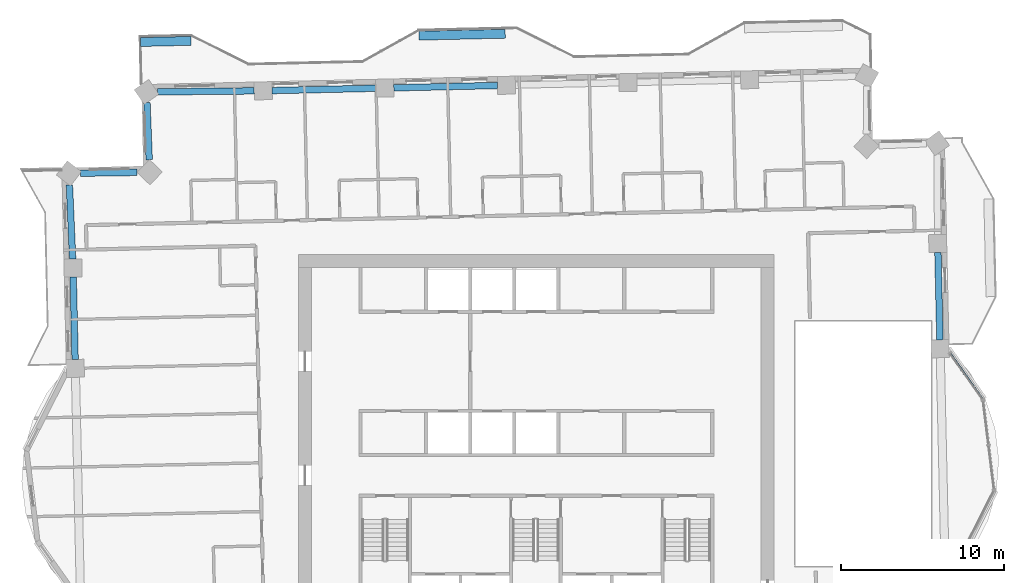
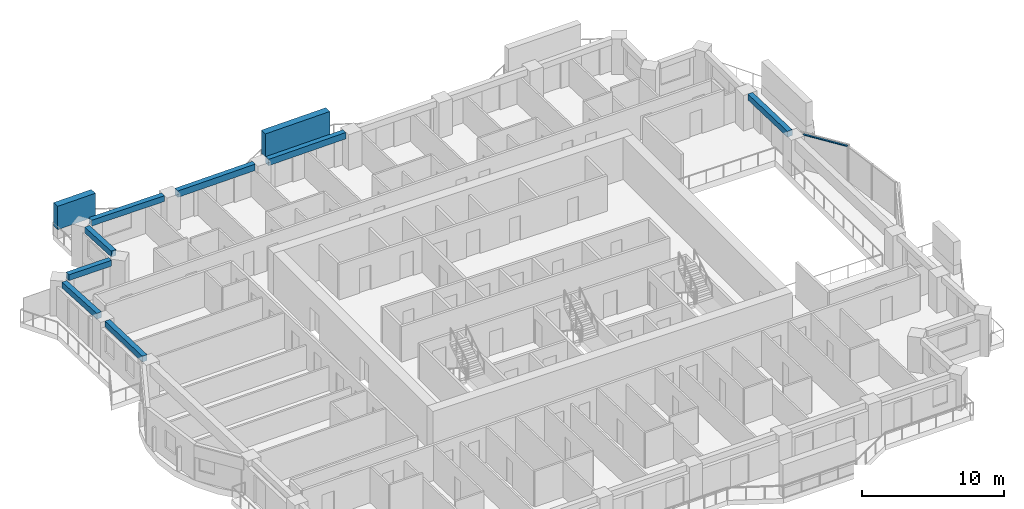
# One storey, part 3 of 16: 8 beams, 3 members, 1 element without a shape of its own.
"""IFC4 building model written with IfcOpenShell, lengths in metres."""

import ifcopenshell
import ifcopenshell.guid

model = None  # the IFC model being written
_history = None  # IfcOwnerHistory: only IFC2X3 demands one
_inside = {}  # id of a spatial element -> (the spatial element, [elements in it])
_under = {}  # id of a project, library or spatial element -> (it, [spatial elements below it])
_declared = {}  # id of a project -> (the project, [libraries it declares])
_typed = {}  # id of a type object -> (the type object, [elements of that type])
_made_of = {}  # id of a material, layer set ... -> (it, [elements and type objects made of it])


def new_model(schema):
    """Start an empty IFC model of exactly this schema.

    Asked for "IFC4X3", IfcOpenShell would pick the latest addendum, in which some entities
    have other attributes; the version numbers below select the first issue.
    IFC2X3 requires an IfcOwnerHistory on every rooted entity: one is made here for all.
    """
    global model, _history
    if schema == "IFC4X3":
        model = ifcopenshell.file(schema_version=(4, 3, 0, 0))
    else:
        model = ifcopenshell.file(schema=schema)
    _inside.clear()
    _under.clear()
    _declared.clear()
    _typed.clear()
    _made_of.clear()
    _history = None
    if model.schema == "IFC2X3":
        org = make("IfcOrganization", Name="unknown")
        user = make(
            "IfcPersonAndOrganization",
            ThePerson=make("IfcPerson", FamilyName="unknown"),
            TheOrganization=org,
        )
        app = make(
            "IfcApplication",
            ApplicationDeveloper=org,
            Version="unknown",
            ApplicationFullName="unknown",
            ApplicationIdentifier="unknown",
        )
        _history = make(
            "IfcOwnerHistory",
            OwningUser=user,
            OwningApplication=app,
            ChangeAction="ADDED",
            CreationDate=0,
        )
    return model


def make(cls, **values):
    """One entity of the class cls with the attributes given. An attribute that is None is left unset."""
    return model.create_entity(
        cls, **{name: value for name, value in values.items() if value is not None}
    )


def rooted(cls, **values):
    """An entity with a GlobalId (a new one), such as an element, a storey or a relation."""
    return make(cls, GlobalId=ifcopenshell.guid.new(), OwnerHistory=_history, **values)


def si_unit(unit_type, name, prefix=None):
    """IfcSIUnit, for example si_unit("LENGTHUNIT", "METRE", prefix="MILLI")."""
    return make("IfcSIUnit", UnitType=unit_type, Prefix=prefix, Name=name)


def assignment(units):
    """IfcUnitAssignment: the units of a project."""
    return None if units is None else make("IfcUnitAssignment", Units=units)


def point(xyz):
    """IfcCartesianPoint."""
    return None if xyz is None else make("IfcCartesianPoint", Coordinates=xyz)


def direction(xyz):
    """IfcDirection."""
    return None if xyz is None else make("IfcDirection", DirectionRatios=xyz)


def frame(location, z_axis=None, x_axis=None):
    """IfcAxis2Placement3D, a coordinate frame: its origin and axes. An axis left out is left unset."""
    return make(
        "IfcAxis2Placement3D",
        Location=point(location),
        Axis=direction(z_axis),
        RefDirection=direction(x_axis),
    )


def frame_2d(location, x_axis=None):
    """IfcAxis2Placement2D, a coordinate frame in the plane: its origin and x axis."""
    return make(
        "IfcAxis2Placement2D", Location=point(location), RefDirection=direction(x_axis)
    )


def origin():
    """The frame at (0, 0, 0) with its axes left unset."""
    return frame((0.0, 0.0, 0.0))


def origin_2d():
    """The frame at (0, 0) in the plane with its x axis left unset."""
    return frame_2d((0.0, 0.0))


def place(relative_to, where):
    """IfcLocalPlacement: puts the frame where relative to a parent placement (None: the world)."""
    return make(
        "IfcLocalPlacement", PlacementRelTo=relative_to, RelativePlacement=where
    )


def context(
    kind, dimensions, precision=None, world=None, true_north=None, identifier=None
):
    """IfcGeometricRepresentationContext, for example the 3D "Model" context."""
    return make(
        "IfcGeometricRepresentationContext",
        ContextIdentifier=identifier,
        ContextType=kind,
        CoordinateSpaceDimension=dimensions,
        Precision=precision,
        WorldCoordinateSystem=world,
        TrueNorth=true_north,
    )


def subcontext(parent, identifier, kind, view, scale=None):
    """IfcGeometricRepresentationSubContext, for example "Body" below "Model"."""
    return make(
        "IfcGeometricRepresentationSubContext",
        ContextIdentifier=identifier,
        ContextType=kind,
        ParentContext=parent,
        TargetScale=scale,
        TargetView=view,
    )


def project(units=None, contexts=None):
    """IfcProject with its units and contexts."""
    return rooted(
        "IfcProject",
        Name="project",
        RepresentationContexts=contexts,
        UnitsInContext=assignment(units),
    )


def spatial(cls, under=None, at=None, **own):
    """A site, building, storey or space (cls), placed at a placement, below another one or the project."""
    s = rooted(cls, ObjectPlacement=at, **own)
    if under is not None:
        _under.setdefault(under.id(), (under, []))[1].append(s)
    return s


def profile(cls, at=None, kind="AREA", **sizes):
    """A parametric profile (cls). Its sizes go by their IFC names, for example OverallWidth=200.0."""
    return make(cls, ProfileType=kind, Position=at, **sizes)


def rectangle(**sizes):
    """IfcRectangleProfileDef."""
    return profile("IfcRectangleProfileDef", **sizes)


def extrude(swept, where, along, depth):
    """IfcExtrudedAreaSolid: the profile swept, set in the frame where, extruded along a direction by depth."""
    return make(
        "IfcExtrudedAreaSolid",
        SweptArea=swept,
        Position=where,
        ExtrudedDirection=direction(along),
        Depth=depth,
    )


def shape(context_of_items, identifier, shape_type, items):
    """IfcShapeRepresentation: the items that make up one representation, for example the "Body"."""
    return make(
        "IfcShapeRepresentation",
        ContextOfItems=context_of_items,
        RepresentationIdentifier=identifier,
        RepresentationType=shape_type,
        Items=items,
    )


def material(Name=None, Category=None):
    """IfcMaterial."""
    return make("IfcMaterial", Name=Name, Category=Category)


def material_profile(
    of_material, cross_section, Name=None, Category=None, Priority=None
):
    """IfcMaterialProfile: a cross section and its material."""
    return make(
        "IfcMaterialProfile",
        Name=Name,
        Material=of_material,
        Profile=cross_section,
        Priority=Priority,
        Category=Category,
    )


def profile_set(profiles, Name=None, composite=None):
    """IfcMaterialProfileSet."""
    return make(
        "IfcMaterialProfileSet",
        Name=Name,
        MaterialProfiles=profiles,
        CompositeProfile=composite,
    )


def made_of(thing, what):
    """Note that an element or type object is made of a material, layer set ...; save() writes the relation."""
    if what is not None:
        _made_of.setdefault(what.id(), (what, []))[1].append(thing)
    return thing


def type_object(cls, material=None, **own):
    """A type object (cls), such as IfcWallType, which elements share."""
    return made_of(rooted(cls, **own), material)


def element(
    cls,
    number,
    at=None,
    inside=None,
    cuts=None,
    type_object=None,
    material=None,
    context=None,
    identifier="Body",
    shape_type=None,
    held_by="IfcProductDefinitionShape",
    body=None,
    shapes=None,
    **own,
):
    """One element of the class cls, such as IfcWall. Its Tag is "e" and its number.

    at: its placement. inside: the storey or other place that contains it. cuts: it is an
    opening in that element (IfcRelVoidsElement). A single representation is given by context,
    identifier, shape_type and body (its items); several are given by shapes. held_by: the class
    of the entity that holds the representations. save() writes the other relations.
    """
    e = rooted(cls, Tag="e%d" % number, ObjectPlacement=at, **own)
    if body is not None:
        shapes = [shape(context, identifier, shape_type, body)]
    if shapes is not None:
        e.Representation = make(held_by, Representations=shapes)
    if inside is not None:
        _inside.setdefault(inside.id(), (inside, []))[1].append(e)
    if cuts is not None:
        rooted(
            "IfcRelVoidsElement", RelatingBuildingElement=cuts, RelatedOpeningElement=e
        )
    if type_object is not None:
        _typed.setdefault(type_object.id(), (type_object, []))[1].append(e)
    return made_of(e, material)


def aggregate(whole, parts):
    """IfcRelAggregates: a whole, such as a stair, and the parts it consists of."""
    return rooted("IfcRelAggregates", RelatingObject=whole, RelatedObjects=parts)


def save(model, path):
    """Write the relations noted so far, then the file.

    IfcRelAggregates (storeys below a building ...), IfcRelContainedInSpatialStructure (elements
    in a storey), IfcRelDefinesByType, IfcRelAssociatesMaterial and IfcRelDeclares: one each for
    every whole, place, type object, material and project.
    """
    for whole, parts in _under.values():
        aggregate(whole, parts)
    for where, things in _inside.values():
        rooted(
            "IfcRelContainedInSpatialStructure",
            RelatedElements=things,
            RelatingStructure=where,
        )
    for kind, things in _typed.values():
        rooted("IfcRelDefinesByType", RelatedObjects=things, RelatingType=kind)
    for what, things in _made_of.values():
        rooted("IfcRelAssociatesMaterial", RelatedObjects=things, RelatingMaterial=what)
    for by, libraries in _declared.values():
        rooted("IfcRelDeclares", RelatingContext=by, RelatedDefinitions=libraries)
    model.write(path)


model = new_model("IFC4")

# Units and contexts
model_context = context("Model", 3, precision=1e-05, world=origin(), true_north=direction((0.0, 1.0)))
body_context = subcontext(model_context, "Body", "Model", "MODEL_VIEW")
ifc_project = project(units=[si_unit("LENGTHUNIT", "METRE"), si_unit("AREAUNIT", "SQUARE_METRE"), si_unit("VOLUMEUNIT", "CUBIC_METRE"), si_unit("PLANEANGLEUNIT", "RADIAN"), si_unit("MASSUNIT", "GRAM", prefix="KILO")], contexts=[model_context])

# Site, building, storey
site_placement = place(None, origin())
site = spatial("IfcSite", under=ifc_project, at=site_placement, CompositionType="ELEMENT")
building_placement = place(site_placement, origin())
building = spatial("IfcBuilding", under=site, at=building_placement, Name="Mangrove Gate Tower", CompositionType="ELEMENT")
storey_placement = place(building_placement, frame((0.0, 0.0, 231.10009765625)))
storey = spatial("IfcBuildingStorey", under=building, at=storey_placement, Name="L58", CompositionType="ELEMENT", Elevation=231.10009765625)

# Curtain wall, member
ifc_material_1 = material(Name="Aluminium and glass curtain wall", Category="aluminium")
curtain_wall_type = type_object("IfcCurtainWallType", Name="Atrium garden-court glazing wall", PredefinedType="NOTDEFINED", material=ifc_material_1)
curtain_wall_placement = place(storey_placement, origin())
curtain_wall = element("IfcCurtainWall", 1, at=curtain_wall_placement, inside=storey, type_object=curtain_wall_type, Name="Atrium garden-court glazing E1f3", PredefinedType="NOTDEFINED")
ifc_material_2 = material(Name="Aluminium alloy 6063-T6", Category="aluminium")
ifc_material_profile_1 = material_profile(ifc_material_2, rectangle(XDim=0.070068359375, YDim=0.14990234375, at=origin_2d()))
ifc_profile_set_1 = profile_set([ifc_material_profile_1], Name="Aluminium alloy 6063-T6")
member_type_1 = type_object("IfcMemberType", Name="Atrium garden-court glazing transom 70x150", PredefinedType="USERDEFINED", material=ifc_profile_set_1)
member_1_placement = place(storey_placement, frame((27.379150390625, 2.739013671875, 3.014892578125), z_axis=(-0.578122045982, 0.815950304829, 0.0), x_axis=(0.0, 0.0, 1.0)))
member_1 = element("IfcMember", 2, at=member_1_placement, type_object=member_type_1, Name="CWA transom 1.2", ObjectType="TRANSOM", PredefinedType="USERDEFINED", context=body_context, shape_type="SweptSolid", body=[
    extrude(rectangle(XDim=0.070068359375, YDim=0.14990234375, at=origin_2d()), origin(), (0.0, 0.0, 1.0), 3.4287109375),
])
aggregate(curtain_wall, [member_1])

# Members
ifc_material_3 = material(Name="Planting on aluminium trellis", Category="aluminium")
ifc_material_profile_2 = material_profile(ifc_material_3, rectangle(XDim=0.550048828125, YDim=2.0, at=origin_2d()))
ifc_profile_set_2 = profile_set([ifc_material_profile_2], Name="Planting on aluminium trellis")
member_type_2 = type_object("IfcMemberType", Name="Balcony greenery screen 550x2000", PredefinedType="USERDEFINED", material=ifc_profile_set_2)
member_2_placement = place(storey_placement, frame((-24.306884765625, 24.656982421875, 1.7998046875), z_axis=(0.999745114593, 0.022576665976, 0.0), x_axis=(-0.022576665976, 0.999745114593, 0.0)))
element("IfcMember", 3, at=member_2_placement, inside=storey, type_object=member_type_2, Name="GREEN SCREEN L58 N1.1", ObjectType="PLANTING", PredefinedType="USERDEFINED", context=body_context, shape_type="SweptSolid", body=[
    extrude(rectangle(XDim=0.550048828125, YDim=2.0, at=origin_2d()), origin(), (0.0, 0.0, 1.0), 3.103515625),
])
member_3_placement = place(storey_placement, frame((-7.20703125, 25.044921875, 1.7998046875), z_axis=(0.999743094541, 0.022665941778, 0.0), x_axis=(-0.022665941778, 0.999743094541, 0.0)))
element("IfcMember", 4, at=member_3_placement, inside=storey, type_object=member_type_2, Name="GREEN SCREEN L58 N1.2", ObjectType="PLANTING", PredefinedType="USERDEFINED", context=body_context, shape_type="SweptSolid", body=[
    extrude(rectangle(XDim=0.550048828125, YDim=2.0, at=origin_2d()), origin(), (0.0, 0.0, 1.0), 5.299560546875),
])

# Beams
ifc_material_4 = material(Name="Concrete C50/60", Category="concrete")
ifc_material_profile_3 = material_profile(ifc_material_4, rectangle(XDim=0.39990234375, YDim=0.5, at=origin_2d()))
ifc_profile_set_3 = profile_set([ifc_material_profile_3], Name="Concrete C50/60")
beam_type_1 = type_object("IfcBeamType", Name="Edge beam RC 400x500 C50/60", PredefinedType="BEAM", material=ifc_profile_set_3)
beam_1_placement = place(storey_placement, frame((24.778564453125, 6.37548828125, 2.7998046875), z_axis=(-0.022718302797, 0.999741906053, 0.0), x_axis=(-0.999741906053, -0.022718302797, 0.0)))
element("IfcBeam", 5, at=beam_1_placement, inside=storey, type_object=beam_type_1, Name="Edge beam L58 15", PredefinedType="BEAM", context=body_context, shape_type="SweptSolid", body=[
    extrude(rectangle(XDim=0.39990234375, YDim=0.5, at=origin_2d()), origin(), (0.0, 0.0, 1.0), 5.362548828125),
])
beam_2_placement = place(storey_placement, frame((-17.318603515625, 21.65673828125, 2.7998046875), z_axis=(-0.999952232717, -0.009774061825, 0.0), x_axis=(0.009774061825, -0.999952232717, 0.0)))
element("IfcBeam", 6, at=beam_2_placement, inside=storey, type_object=beam_type_1, Name="Edge beam L58 24", PredefinedType="BEAM", context=body_context, shape_type="SweptSolid", body=[
    extrude(rectangle(XDim=0.39990234375, YDim=0.5, at=origin_2d()), origin(), (0.0, 0.0, 1.0), 5.94482421875),
])
beam_3_placement = place(storey_placement, frame((-23.905029296875, 20.93798828125, 2.7998046875), z_axis=(0.039412831172, -0.999223012515, 0.0), x_axis=(0.999223012515, 0.039412831172, 0.0)))
element("IfcBeam", 7, at=beam_3_placement, inside=storey, type_object=beam_type_1, Name="Edge beam L58 25", PredefinedType="BEAM", context=body_context, shape_type="SweptSolid", body=[
    extrude(rectangle(XDim=0.39990234375, YDim=0.5, at=origin_2d()), origin(), (0.0, 0.0, 1.0), 3.51220703125),
])
beam_4_placement = place(storey_placement, frame((-24.5078125, 16.653076171875, 2.7998046875), z_axis=(-0.999898017647, -0.014281257131, 0.0), x_axis=(0.014281257131, -0.999898017647, 0.0)))
element("IfcBeam", 8, at=beam_4_placement, inside=storey, type_object=beam_type_1, Name="Edge beam L58 26", PredefinedType="BEAM", context=body_context, shape_type="SweptSolid", body=[
    extrude(rectangle(XDim=0.39990234375, YDim=0.5, at=origin_2d()), origin(), (0.0, 0.0, 1.0), 3.4873046875),
])
beam_5_placement = place(storey_placement, frame((-28.66650390625, 15.873291015625, 2.7998046875), z_axis=(0.043817054044, -0.999039571676, 0.0), x_axis=(0.999039571676, 0.043817054044, 0.0)))
element("IfcBeam", 9, at=beam_5_placement, inside=storey, type_object=beam_type_1, Name="Edge beam L58 27", PredefinedType="BEAM", context=body_context, shape_type="SweptSolid", body=[
    extrude(rectangle(XDim=0.39990234375, YDim=0.5, at=origin_2d()), origin(), (0.0, 0.0, 1.0), 4.546630859375),
])
beam_6_placement = place(storey_placement, frame((-28.4306640625, 10.231689453125, 2.7998046875), z_axis=(0.022718118383, -0.999741910243, 0.0), x_axis=(0.999741910243, 0.022718118383, 0.0)))
element("IfcBeam", 10, at=beam_6_placement, inside=storey, type_object=beam_type_1, Name="Edge beam L58 28", PredefinedType="BEAM", context=body_context, shape_type="SweptSolid", body=[
    extrude(rectangle(XDim=0.39990234375, YDim=0.5, at=origin_2d()), origin(), (0.0, 0.0, 1.0), 5.0615234375),
])
ifc_material_5 = material(Name="Concrete C50/60", Category="concrete")
ifc_material_profile_4 = material_profile(ifc_material_5, rectangle(XDim=0.39990234375, YDim=0.550048828125, at=origin_2d()))
ifc_profile_set_4 = profile_set([ifc_material_profile_4], Name="Concrete C50/60")
beam_type_2 = type_object("IfcBeamType", Name="Edge beam RC 400x550 C50/60", PredefinedType="BEAM", material=ifc_profile_set_4)
beam_7_placement = place(storey_placement, frame((-2.386474609375, 21.988525390625, 2.77490234375), z_axis=(-0.999741518756, -0.0227353398, 0.0), x_axis=(0.0227353398, -0.999741518756, 0.0)))
element("IfcBeam", 11, at=beam_7_placement, inside=storey, type_object=beam_type_2, Name="Edge beam L58 22", PredefinedType="BEAM", context=body_context, shape_type="SweptSolid", body=[
    extrude(rectangle(XDim=0.39990234375, YDim=0.550048828125, at=origin_2d()), origin(), (0.0, 0.0, 1.0), 6.367919921875),
])
beam_8_placement = place(storey_placement, frame((-9.852294921875, 21.818603515625, 2.77490234375), z_axis=(-0.99974414608, -0.022619513218, 0.0), x_axis=(0.022619513218, -0.99974414608, 0.0)))
element("IfcBeam", 12, at=beam_8_placement, inside=storey, type_object=beam_type_2, Name="Edge beam L58 23", PredefinedType="BEAM", context=body_context, shape_type="SweptSolid", body=[
    extrude(rectangle(XDim=0.39990234375, YDim=0.550048828125, at=origin_2d()), origin(), (0.0, 0.0, 1.0), 6.3681640625),
])

save(model, "model.ifc")
